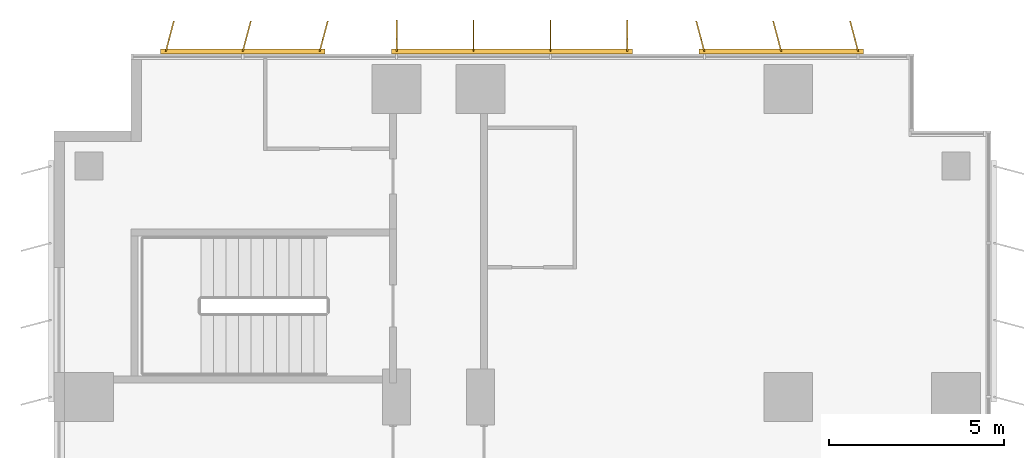
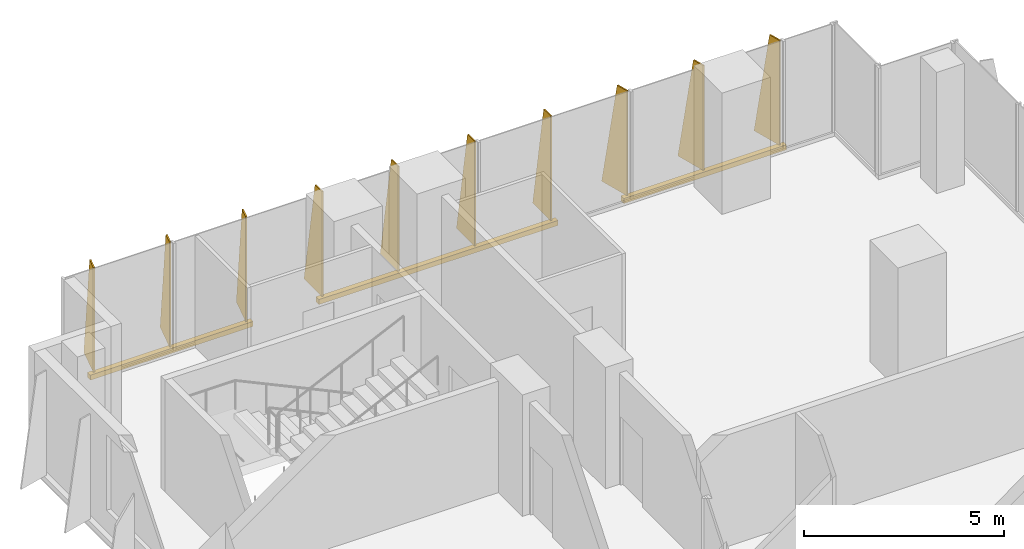
# One storey, part 24 of 24: 3 shading devices.
"""IFC4 building model written with IfcOpenShell, lengths in metres."""

from ifc_helpers import new_model, si_unit, direction, frame, origin, origin_2d, place, context, subcontext, project, spatial, polyline, rectangle, outline, extrude, source, transform, mapped, material, layer, layer_set, type_object, element, save


model = new_model("IFC4")

# Units and contexts
model_context = context("Model", 3, precision=1e-05, world=origin(), true_north=direction((0.0, 1.0)))
body_context = subcontext(model_context, "Body", "Model", "MODEL_VIEW")
ifc_project = project(units=[si_unit("LENGTHUNIT", "METRE"), si_unit("AREAUNIT", "SQUARE_METRE"), si_unit("VOLUMEUNIT", "CUBIC_METRE"), si_unit("PLANEANGLEUNIT", "RADIAN"), si_unit("MASSUNIT", "GRAM", prefix="KILO")], contexts=[model_context])

# Site, building, storey
site_placement = place(None, origin())
site = spatial("IfcSite", under=ifc_project, at=site_placement, CompositionType="ELEMENT")
building_placement = place(site_placement, origin())
building = spatial("IfcBuilding", under=site, at=building_placement, Name="Kemantara Hotel Tower", CompositionType="ELEMENT")
storey_placement = place(building_placement, frame((0.0, 0.0, 76.0)))
storey = spatial("IfcBuildingStorey", under=building, at=storey_placement, Name="L17", CompositionType="ELEMENT", Elevation=76.0)

# Shading devices
ifc_material = material(Name="Perforated aluminium plate 4 mm bronze anodised", Category="aluminium")
ifc_layer_1 = layer(ifc_material, 0.0400390625)
ifc_layer_set_1 = layer_set([ifc_layer_1], Name="Perforated aluminium plate 4 mm bronze anodised")
shading_device_type_1 = type_object("IfcShadingDeviceType", Name="SCREEN FIN CASSETTE, 3 BLADES AT -15.0 DEG, 3200 HIGH", PredefinedType="USERDEFINED", material=ifc_layer_set_1)
shared_shape_1 = source(origin(), body_context, "Body", "SweptSolid", [
    extrude(rectangle(XDim=4.699951171875, YDim=0.14990234375, at=origin_2d()), frame((2.199951171875, -0.074951171875, -0.14990234375), z_axis=(0.0, 0.0, 1.0), x_axis=(1.0, 0.0, 0.0)), (0.0, 0.0, 1.0), 0.14990234375),
    extrude(outline(polyline([(0.0, 0.0), (0.89990234375, 0.0), (0.35009765625, 3.199951171875), (0.0, 3.199951171875), (0.0, 0.0)])), frame((0.019287109375, -0.080078125, 0.0), z_axis=(-0.966437683387, 0.256901156343, 0.0), x_axis=(-0.256901156343, -0.966437683387, 0.0)), (0.0, 0.0, 1.0), 0.039794921875),
    extrude(outline(polyline([(0.0, 0.0), (0.89990234375, 0.0), (0.35009765625, 3.199951171875), (0.0, 3.199951171875), (0.0, 0.0)])), frame((2.21923828125, -0.080078125, 0.0), z_axis=(-0.966437683387, 0.256901156343, 0.0), x_axis=(-0.256901156343, -0.966437683387, 0.0)), (0.0, 0.0, 1.0), 0.039794921875),
    extrude(outline(polyline([(0.0, 0.0), (0.89990234375, 0.0), (0.35009765625, 3.199951171875), (0.0, 3.199951171875), (0.0, 0.0)])), frame((4.41943359375, -0.080078125, 0.0), z_axis=(-0.966837822169, 0.255391122837, 0.0), x_axis=(-0.255391122837, -0.966837822169, 0.0)), (0.0, 0.0, 1.0), 0.0400390625),
])
shading_device_1_placement = place(storey_placement, frame((7.60009765625, 81.199951171875, 0.10009765625), z_axis=(0.0, 0.0, 1.0), x_axis=(-1.0, 0.0, 0.0)))
element("IfcShadingDevice", 1, at=shading_device_1_placement, inside=storey, type_object=shading_device_type_1, Name="SCREEN FIN CASSETTE L17 T1-R11-3", ObjectType="SCREEN FIN", PredefinedType="USERDEFINED", context=body_context, shape_type="MappedRepresentation", body=[
    mapped(shared_shape_1, transform((0.0, 0.0, 0.0))),
])
ifc_layer_2 = layer(ifc_material, 0.0400390625)
ifc_layer_set_2 = layer_set([ifc_layer_2], Name="Perforated aluminium plate 4 mm bronze anodised")
shading_device_type_2 = type_object("IfcShadingDeviceType", Name="SCREEN FIN CASSETTE, 4 BLADES AT +0.0 DEG, 3200 HIGH", PredefinedType="USERDEFINED", material=ifc_layer_set_2)
shared_shape_2 = source(origin(), body_context, "Body", "SweptSolid", [
    extrude(rectangle(XDim=6.89990234375, YDim=0.14990234375, at=origin_2d()), frame((3.300048828125, -0.074951171875, -0.14990234375), z_axis=(0.0, 0.0, 1.0), x_axis=(1.0, 0.0, 0.0)), (0.0, 0.0, 1.0), 0.14990234375),
    extrude(outline(polyline([(0.0, 0.0), (0.89990234375, 0.0), (0.35009765625, 3.199951171875), (0.0, 3.199951171875), (0.0, 0.0)])), frame((0.02001953125, -0.074951171875, 0.0), z_axis=(-1.0, 0.0, 0.0), x_axis=(0.0, -1.0, 0.0)), (0.0, 0.0, 1.0), 0.0400390625),
    extrude(outline(polyline([(0.0, 0.0), (0.89990234375, 0.0), (0.35009765625, 3.199951171875), (0.0, 3.199951171875), (0.0, 0.0)])), frame((2.219970703125, -0.074951171875, 0.0), z_axis=(-1.0, 0.0, 0.0), x_axis=(0.0, -1.0, 0.0)), (0.0, 0.0, 1.0), 0.0400390625),
    extrude(outline(polyline([(0.0, 0.0), (0.89990234375, 0.0), (0.35009765625, 3.199951171875), (0.0, 3.199951171875), (0.0, 0.0)])), frame((4.419921875, -0.074951171875, 0.0), z_axis=(-1.0, 0.0, 0.0), x_axis=(0.0, -1.0, 0.0)), (0.0, 0.0, 1.0), 0.0400390625),
    extrude(outline(polyline([(0.0, 0.0), (0.89990234375, 0.0), (0.35009765625, 3.199951171875), (0.0, 3.199951171875), (0.0, 0.0)])), frame((6.6201171875, -0.074951171875, 0.0), z_axis=(-1.0, 0.0, 0.0), x_axis=(0.0, -1.0, 0.0)), (0.0, 0.0, 1.0), 0.0400390625),
])
shading_device_2_placement = place(storey_placement, frame((16.39990234375, 81.199951171875, 0.10009765625), z_axis=(0.0, 0.0, 1.0), x_axis=(-1.0, 0.0, 0.0)))
element("IfcShadingDevice", 2, at=shading_device_2_placement, inside=storey, type_object=shading_device_type_2, Name="SCREEN FIN CASSETTE L17 T1-R11-2", ObjectType="SCREEN FIN", PredefinedType="USERDEFINED", context=body_context, shape_type="MappedRepresentation", body=[
    mapped(shared_shape_2, transform((0.0, 0.0, 0.0))),
])
ifc_layer_3 = layer(ifc_material, 0.0400390625)
ifc_layer_set_3 = layer_set([ifc_layer_3], Name="Perforated aluminium plate 4 mm bronze anodised")
shading_device_type_3 = type_object("IfcShadingDeviceType", Name="SCREEN FIN CASSETTE, 3 BLADES AT +15.0 DEG, 3200 HIGH", PredefinedType="USERDEFINED", material=ifc_layer_set_3)
shared_shape_3 = source(origin(), body_context, "Body", "SweptSolid", [
    extrude(rectangle(XDim=4.699951171875, YDim=0.14990234375, at=origin_2d()), frame((2.199951171875, -0.074951171875, -0.14990234375), z_axis=(0.0, 0.0, 1.0), x_axis=(1.0, 0.0, 0.0)), (0.0, 0.0, 1.0), 0.14990234375),
    extrude(outline(polyline([(0.0, 0.0), (0.89990234375, 0.0), (0.35009765625, 3.199951171875), (0.0, 3.199951171875), (0.0, 0.0)])), frame((0.019287109375, -0.06982421875, 0.0), z_axis=(-0.966437683387, -0.256901156343, 0.0), x_axis=(0.256901156343, -0.966437683387, 0.0)), (0.0, 0.0, 1.0), 0.039794921875),
    extrude(outline(polyline([(0.0, 0.0), (0.89990234375, 0.0), (0.35009765625, 3.199951171875), (0.0, 3.199951171875), (0.0, 0.0)])), frame((2.21923828125, -0.06982421875, 0.0), z_axis=(-0.966437683387, -0.256901156343, 0.0), x_axis=(0.256901156343, -0.966437683387, 0.0)), (0.0, 0.0, 1.0), 0.039794921875),
    extrude(outline(polyline([(0.0, 0.0), (0.89990234375, 0.0), (0.35009765625, 3.199951171875), (0.0, 3.199951171875), (0.0, 0.0)])), frame((4.41943359375, -0.06982421875, 0.0), z_axis=(-0.966837822169, -0.255391122837, 0.0), x_axis=(0.255391122837, -0.966837822169, 0.0)), (0.0, 0.0, 1.0), 0.0400390625),
])
shading_device_3_placement = place(storey_placement, frame((23.0, 81.199951171875, 0.10009765625), z_axis=(0.0, 0.0, 1.0), x_axis=(-1.0, 0.0, 0.0)))
element("IfcShadingDevice", 3, at=shading_device_3_placement, inside=storey, type_object=shading_device_type_3, Name="SCREEN FIN CASSETTE L17 T1-R11-1", ObjectType="SCREEN FIN", PredefinedType="USERDEFINED", context=body_context, shape_type="MappedRepresentation", body=[
    mapped(shared_shape_3, transform((0.0, 0.0, 0.0))),
])

save(model, "model.ifc")
